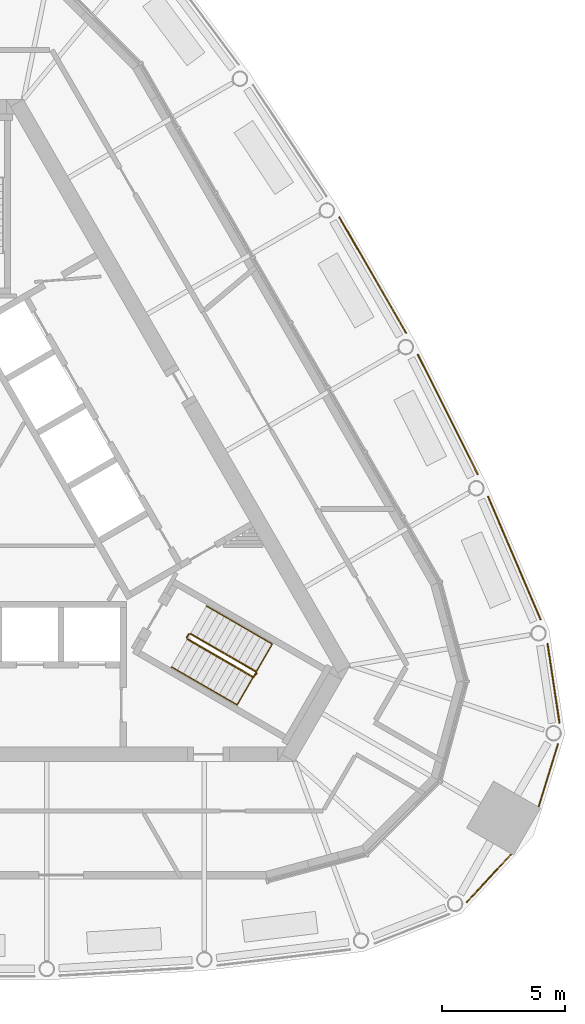
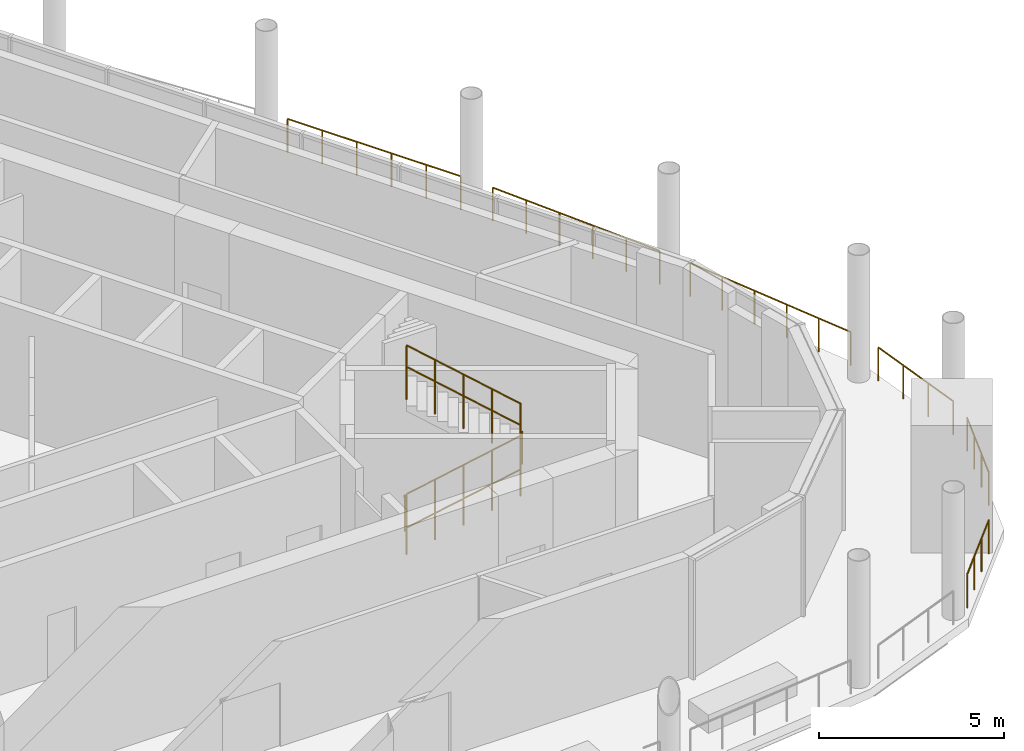
# One storey, part 13 of 15: 10 railings.
"""IFC4 building model written with IfcOpenShell, lengths in metres."""

from ifc_helpers import new_model, si_unit, direction, frame, origin, origin_2d, place, context, subcontext, project, spatial, circle, extrude, material, type_object, element, save


model = new_model("IFC4")

# Units and contexts
model_context = context("Model", 3, precision=1e-05, world=origin(), true_north=direction((0.0, 1.0)))
body_context = subcontext(model_context, "Body", "Model", "MODEL_VIEW")
ifc_project = project(units=[si_unit("LENGTHUNIT", "METRE"), si_unit("AREAUNIT", "SQUARE_METRE"), si_unit("VOLUMEUNIT", "CUBIC_METRE"), si_unit("PLANEANGLEUNIT", "RADIAN"), si_unit("MASSUNIT", "GRAM", prefix="KILO")], contexts=[model_context])

# Site, building, storey
site_placement = place(None, origin())
site = spatial("IfcSite", under=ifc_project, at=site_placement, CompositionType="ELEMENT")
building_placement = place(site_placement, origin())
building = spatial("IfcBuilding", under=site, at=building_placement, Name="Mestral Congress Tower", CompositionType="ELEMENT")
storey_placement = place(building_placement, frame((0.0, 0.0, 327.60009765625)))
storey = spatial("IfcBuildingStorey", under=building, at=storey_placement, Name="L76", CompositionType="ELEMENT", Elevation=327.60009765625)

# Railings
ifc_material_1 = material(Name="Stainless steel", Category="steel")
railing_type_1 = type_object("IfcRailingType", Name="Facade guard 1120 steel and glass", PredefinedType="GUARDRAIL", material=ifc_material_1)
railing_1_placement = place(storey_placement, frame((20.23095703125, -15.944091796875, 0.0)))
element("IfcRailing", 1, at=railing_1_placement, inside=storey, type_object=railing_type_1, Name="Terrace guard K0-1", PredefinedType="GUARDRAIL", context=body_context, shape_type="SweptSolid", body=[
    extrude(circle(Radius=0.02392578125, at=origin_2d()), frame((0.0, 0.0, 1.09619140625), z_axis=(0.680265696543, 0.732965607725, 0.0), x_axis=(-0.732965607725, 0.680265696543, 0.0)), (0.0, 0.0, 1.0), 2.626708984375),
    extrude(circle(Radius=0.02099609375, at=origin_2d()), origin(), (0.0, 0.0, 1.0), 1.072021484375),
    extrude(circle(Radius=0.02099609375, at=origin_2d()), frame((0.595703125, 0.641845703125, 0.0)), (0.0, 0.0, 1.0), 1.072021484375),
    extrude(circle(Radius=0.02099609375, at=origin_2d()), frame((1.191162109375, 1.283447265625, 0.0)), (0.0, 0.0, 1.0), 1.072021484375),
    extrude(circle(Radius=0.02099609375, at=origin_2d()), frame((1.786865234375, 1.92529296875, 0.0)), (0.0, 0.0, 1.0), 1.072021484375),
])
railing_2_placement = place(storey_placement, frame((23.1494140625, -12.05859375, 0.0)))
element("IfcRailing", 2, at=railing_2_placement, inside=storey, type_object=railing_type_1, Name="Terrace guard K0-2", PredefinedType="GUARDRAIL", context=body_context, shape_type="SweptSolid", body=[
    extrude(circle(Radius=0.02392578125, at=origin_2d()), frame((0.0, 0.0, 1.09619140625), z_axis=(0.294706210429, 0.9555879078, 0.0), x_axis=(-0.9555879078, 0.294706210429, 0.0)), (0.0, 0.0, 1.0), 2.626953125),
    extrude(circle(Radius=0.02099609375, at=origin_2d()), origin(), (0.0, 0.0, 1.0), 1.072021484375),
    extrude(circle(Radius=0.02099609375, at=origin_2d()), frame((0.258056640625, 0.836669921875, 0.0)), (0.0, 0.0, 1.0), 1.072021484375),
    extrude(circle(Radius=0.02099609375, at=origin_2d()), frame((0.51611328125, 1.673583984375, 0.0)), (0.0, 0.0, 1.0), 1.072021484375),
    extrude(circle(Radius=0.02099609375, at=origin_2d()), frame((0.774169921875, 2.51025390625, 0.0)), (0.0, 0.0, 1.0), 1.072021484375),
])
railing_3_placement = place(storey_placement, frame((23.98828125, -8.681640625, 0.0)))
element("IfcRailing", 3, at=railing_3_placement, inside=storey, type_object=railing_type_1, Name="Terrace guard K0-3", PredefinedType="GUARDRAIL", context=body_context, shape_type="SweptSolid", body=[
    extrude(circle(Radius=0.02392578125, at=origin_2d()), frame((0.0, 0.0, 1.09619140625), z_axis=(-0.149347311305, 0.988784799947, 0.0), x_axis=(-0.988784799947, -0.149347311305, 0.0)), (0.0, 0.0, 1.0), 3.23681640625),
    extrude(circle(Radius=0.02099609375, at=origin_2d()), origin(), (0.0, 0.0, 1.0), 1.072021484375),
    extrude(circle(Radius=0.02099609375, at=origin_2d()), frame((-0.1611328125, 1.06689453125, 0.0)), (0.0, 0.0, 1.0), 1.072021484375),
    extrude(circle(Radius=0.02099609375, at=origin_2d()), frame((-0.322265625, 2.133544921875, 0.0)), (0.0, 0.0, 1.0), 1.072021484375),
    extrude(circle(Radius=0.02099609375, at=origin_2d()), frame((-0.4833984375, 3.200439453125, 0.0)), (0.0, 0.0, 1.0), 1.072021484375),
])
railing_4_placement = place(storey_placement, frame((23.22021484375, -4.48291015625, 0.0)))
element("IfcRailing", 4, at=railing_4_placement, inside=storey, type_object=railing_type_1, Name="Terrace guard F1-00", PredefinedType="GUARDRAIL", context=body_context, shape_type="SweptSolid", body=[
    extrude(circle(Radius=0.02392578125, at=origin_2d()), frame((0.0, 0.0, 1.09619140625), z_axis=(-0.39336965333, 0.919380397789, 0.0), x_axis=(-0.919380397789, -0.39336965333, 0.0)), (0.0, 0.0, 1.0), 5.4150390625),
    extrude(circle(Radius=0.02099609375, at=origin_2d()), origin(), (0.0, 0.0, 1.0), 1.072021484375),
    extrude(circle(Radius=0.02099609375, at=origin_2d()), frame((-0.426025390625, 0.99560546875, 0.0)), (0.0, 0.0, 1.0), 1.072021484375),
    extrude(circle(Radius=0.02099609375, at=origin_2d()), frame((-0.85205078125, 1.991455078125, 0.0)), (0.0, 0.0, 1.0), 1.072021484375),
    extrude(circle(Radius=0.02099609375, at=origin_2d()), frame((-1.278076171875, 2.987060546875, 0.0)), (0.0, 0.0, 1.0), 1.072021484375),
    extrude(circle(Radius=0.02099609375, at=origin_2d()), frame((-1.7041015625, 3.98291015625, 0.0)), (0.0, 0.0, 1.0), 1.072021484375),
    extrude(circle(Radius=0.02099609375, at=origin_2d()), frame((-2.130126953125, 4.978515625, 0.0)), (0.0, 0.0, 1.0), 1.072021484375),
])
railing_5_placement = place(storey_placement, frame((20.6650390625, 1.412353515625, 0.0)))
element("IfcRailing", 5, at=railing_5_placement, inside=storey, type_object=railing_type_1, Name="Terrace guard F1-01", PredefinedType="GUARDRAIL", context=body_context, shape_type="SweptSolid", body=[
    extrude(circle(Radius=0.02392578125, at=origin_2d()), frame((0.0, 0.0, 1.09619140625), z_axis=(-0.447466485607, 0.894300701251, 0.0), x_axis=(-0.894300701251, -0.447466485607, 0.0)), (0.0, 0.0, 1.0), 5.40576171875),
    extrude(circle(Radius=0.02099609375, at=origin_2d()), origin(), (0.0, 0.0, 1.0), 1.072021484375),
    extrude(circle(Radius=0.02099609375, at=origin_2d()), frame((-0.48388671875, 0.966796875, 0.0)), (0.0, 0.0, 1.0), 1.072021484375),
    extrude(circle(Radius=0.02099609375, at=origin_2d()), frame((-0.967529296875, 1.933837890625, 0.0)), (0.0, 0.0, 1.0), 1.072021484375),
    extrude(circle(Radius=0.02099609375, at=origin_2d()), frame((-1.451416015625, 2.900634765625, 0.0)), (0.0, 0.0, 1.0), 1.072021484375),
    extrude(circle(Radius=0.02099609375, at=origin_2d()), frame((-1.93505859375, 3.86767578125, 0.0)), (0.0, 0.0, 1.0), 1.072021484375),
    extrude(circle(Radius=0.02099609375, at=origin_2d()), frame((-2.4189453125, 4.83447265625, 0.0)), (0.0, 0.0, 1.0), 1.072021484375),
])
railing_6_placement = place(storey_placement, frame((17.76708984375, 7.13671875, 0.0)))
element("IfcRailing", 6, at=railing_6_placement, inside=storey, type_object=railing_type_1, Name="Terrace guard F1-02", PredefinedType="GUARDRAIL", context=body_context, shape_type="SweptSolid", body=[
    extrude(circle(Radius=0.02392578125, at=origin_2d()), frame((0.0, 0.0, 1.09619140625), z_axis=(-0.499990896557, 0.866030659596, 0.0), x_axis=(-0.866030659596, -0.499990896557, 0.0)), (0.0, 0.0, 1.0), 5.40576171875),
    extrude(circle(Radius=0.02099609375, at=origin_2d()), origin(), (0.0, 0.0, 1.0), 1.072021484375),
    extrude(circle(Radius=0.02099609375, at=origin_2d()), frame((-0.54052734375, 0.936279296875, 0.0)), (0.0, 0.0, 1.0), 1.072021484375),
    extrude(circle(Radius=0.02099609375, at=origin_2d()), frame((-1.0810546875, 1.87255859375, 0.0)), (0.0, 0.0, 1.0), 1.072021484375),
    extrude(circle(Radius=0.02099609375, at=origin_2d()), frame((-1.621826171875, 2.80908203125, 0.0)), (0.0, 0.0, 1.0), 1.072021484375),
    extrude(circle(Radius=0.02099609375, at=origin_2d()), frame((-2.162353515625, 3.745361328125, 0.0)), (0.0, 0.0, 1.0), 1.072021484375),
    extrude(circle(Radius=0.02099609375, at=origin_2d()), frame((-2.702880859375, 4.681640625, 0.0)), (0.0, 0.0, 1.0), 1.072021484375),
])
ifc_material_2 = material(Name="Steel balustrade", Category="steel")
railing_type_2 = type_object("IfcRailingType", Name="Stair guard 1100", PredefinedType="GUARDRAIL", material=ifc_material_2)
railing_7_placement = place(storey_placement, frame((8.90087890625, -5.283203125, 0.1748046875)))
element("IfcRailing", 7, at=railing_7_placement, inside=storey, type_object=railing_type_2, Name="L76 ST1 stair guard 1", PredefinedType="GUARDRAIL", context=body_context, shape_type="SweptSolid", body=[
    extrude(circle(Radius=0.02392578125, at=origin_2d()), frame((0.0, 0.0, 1.076171875), z_axis=(0.734364028329, -0.424015404183, 0.530019255228), x_axis=(0.500026652407, 0.866010015463, 0.0)), (0.0, 0.0, 1.0), 3.632080078125),
    extrude(circle(Radius=0.02392578125, at=origin_2d()), frame((2.667236328125, -1.5400390625, 3.0009765625), z_axis=(0.695164929852, 0.718850276695, 0.0), x_axis=(-0.718850276695, 0.695164929852, 0.0)), (0.0, 0.0, 1.0), 0.2060546875),
    extrude(circle(Radius=0.02099609375, at=origin_2d()), origin(), (0.0, 0.0, 1.0), 1.052001953125),
    extrude(circle(Radius=0.02099609375, at=origin_2d()), frame((0.666748046875, -0.385009765625, 0.481201171875)), (0.0, 0.0, 1.0), 1.052001953125),
    extrude(circle(Radius=0.02099609375, at=origin_2d()), frame((1.33349609375, -0.77001953125, 0.96240234375)), (0.0, 0.0, 1.0), 1.052001953125),
    extrude(circle(Radius=0.02099609375, at=origin_2d()), frame((2.00048828125, -1.155029296875, 1.44384765625)), (0.0, 0.0, 1.0), 1.052001953125),
    extrude(circle(Radius=0.02099609375, at=origin_2d()), frame((2.667236328125, -1.5400390625, 1.925048828125)), (0.0, 0.0, 1.0), 1.052001953125),
    extrude(circle(Radius=0.02099609375, at=origin_2d()), frame((2.810546875, -1.391845703125, 1.925048828125)), (0.0, 0.0, 1.0), 1.052001953125),
])
railing_8_placement = place(storey_placement, frame((11.693115234375, -6.606689453125, 2.27490234375)))
element("IfcRailing", 8, at=railing_8_placement, inside=storey, type_object=railing_type_2, Name="L76 ST1 stair guard 2", PredefinedType="GUARDRAIL", context=body_context, shape_type="SweptSolid", body=[
    extrude(circle(Radius=0.02392578125, at=origin_2d()), frame((0.0, 0.0, 1.076171875), z_axis=(-0.734364028329, 0.424015404183, 0.530019255228), x_axis=(-0.500026652407, -0.866010015463, 0.0)), (0.0, 0.0, 1.0), 3.632080078125),
    extrude(circle(Radius=0.02099609375, at=origin_2d()), origin(), (0.0, 0.0, 1.0), 1.052001953125),
    extrude(circle(Radius=0.02099609375, at=origin_2d()), frame((-0.666748046875, 0.385009765625, 0.481201171875)), (0.0, 0.0, 1.0), 1.052001953125),
    extrude(circle(Radius=0.02099609375, at=origin_2d()), frame((-1.33349609375, 0.77001953125, 0.96240234375)), (0.0, 0.0, 1.0), 1.052001953125),
    extrude(circle(Radius=0.02099609375, at=origin_2d()), frame((-2.00048828125, 1.155029296875, 1.44384765625)), (0.0, 0.0, 1.0), 1.052001953125),
    extrude(circle(Radius=0.02099609375, at=origin_2d()), frame((-2.667236328125, 1.5400390625, 1.925048828125)), (0.0, 0.0, 1.0), 1.052001953125),
])
railing_9_placement = place(storey_placement, frame((8.882568359375, -5.21484375, 0.0)))
element("IfcRailing", 9, at=railing_9_placement, inside=storey, type_object=railing_type_2, Name="L76 ST1 stair guard 3", PredefinedType="GUARDRAIL", context=body_context, shape_type="SweptSolid", body=[
    extrude(circle(Radius=0.02392578125, at=origin_2d()), frame((0.0, 0.0, 1.076171875), z_axis=(0.499816412211, 0.866131372301, 0.0), x_axis=(-0.866131372301, 0.499816412211, 0.0)), (0.0, 0.0, 1.0), 0.14990234375),
    extrude(circle(Radius=0.02099609375, at=origin_2d()), origin(), (0.0, 0.0, 1.0), 1.052001953125),
    extrude(circle(Radius=0.02099609375, at=origin_2d()), frame((0.074951171875, 0.1298828125, 0.0)), (0.0, 0.0, 1.0), 1.052001953125),
])
ifc_material_3 = material(Name="Steel handrail", Category="steel")
railing_type_3 = type_object("IfcRailingType", Name="Stair handrail 900", PredefinedType="HANDRAIL", material=ifc_material_3)
railing_10_placement = place(storey_placement, frame((8.2509765625, -6.4091796875, 0.1748046875)))
element("IfcRailing", 10, at=railing_10_placement, inside=storey, type_object=railing_type_3, Name="L76 ST1 stair handrail 1", PredefinedType="HANDRAIL", context=body_context, shape_type="SweptSolid", body=[
    extrude(circle(Radius=0.02392578125, at=origin_2d()), frame((0.0, 0.0, 0.8759765625), z_axis=(0.734384958227, -0.423960268333, 0.530034361155), x_axis=(0.499967199496, 0.866044340336, 0.0)), (0.0, 0.0, 1.0), 3.6318359375),
    extrude(circle(Radius=0.02392578125, at=origin_2d()), frame((2.667236328125, -1.539794921875, 2.80078125), z_axis=(0.499095769026, 0.864375386171, 0.061307463833), x_axis=(-0.866004402611, 0.500036373335, 0.0)), (0.0, 0.0, 1.0), 2.855224609375),
    extrude(circle(Radius=0.02392578125, at=origin_2d()), frame((4.09228515625, 0.92822265625, 2.97607421875), z_axis=(-0.734394994316, 0.423994474112, 0.52999309264), x_axis=(-0.499992328818, -0.866029832698, 0.0)), (0.0, 0.0, 1.0), 3.63232421875),
    extrude(circle(Radius=0.02099609375, at=origin_2d()), origin(), (0.0, 0.0, 1.0), 0.851806640625),
    extrude(circle(Radius=0.02099609375, at=origin_2d()), frame((0.666748046875, -0.385009765625, 0.481201171875)), (0.0, 0.0, 1.0), 0.851806640625),
    extrude(circle(Radius=0.02099609375, at=origin_2d()), frame((1.33349609375, -0.77001953125, 0.96240234375)), (0.0, 0.0, 1.0), 0.851806640625),
    extrude(circle(Radius=0.02099609375, at=origin_2d()), frame((2.00048828125, -1.15478515625, 1.44384765625)), (0.0, 0.0, 1.0), 0.851806640625),
    extrude(circle(Radius=0.02099609375, at=origin_2d()), frame((2.667236328125, -1.539794921875, 1.925048828125)), (0.0, 0.0, 1.0), 0.851806640625),
    extrude(circle(Radius=0.02099609375, at=origin_2d()), frame((3.142333984375, -0.717041015625, 1.9833984375)), (0.0, 0.0, 1.0), 0.851806640625),
    extrude(circle(Radius=0.02099609375, at=origin_2d()), frame((3.6171875, 0.10546875, 2.041748046875)), (0.0, 0.0, 1.0), 0.851806640625),
    extrude(circle(Radius=0.02099609375, at=origin_2d()), frame((4.09228515625, 0.92822265625, 2.10009765625)), (0.0, 0.0, 1.0), 0.851806640625),
    extrude(circle(Radius=0.02099609375, at=origin_2d()), frame((3.42529296875, 1.313232421875, 2.581298828125)), (0.0, 0.0, 1.0), 0.851806640625),
    extrude(circle(Radius=0.02099609375, at=origin_2d()), frame((2.758544921875, 1.6982421875, 3.0625)), (0.0, 0.0, 1.0), 0.851806640625),
    extrude(circle(Radius=0.02099609375, at=origin_2d()), frame((2.091796875, 2.083251953125, 3.5439453125)), (0.0, 0.0, 1.0), 0.851806640625),
    extrude(circle(Radius=0.02099609375, at=origin_2d()), frame((1.4248046875, 2.46826171875, 4.025146484375)), (0.0, 0.0, 1.0), 0.851806640625),
])

save(model, "model.ifc")
